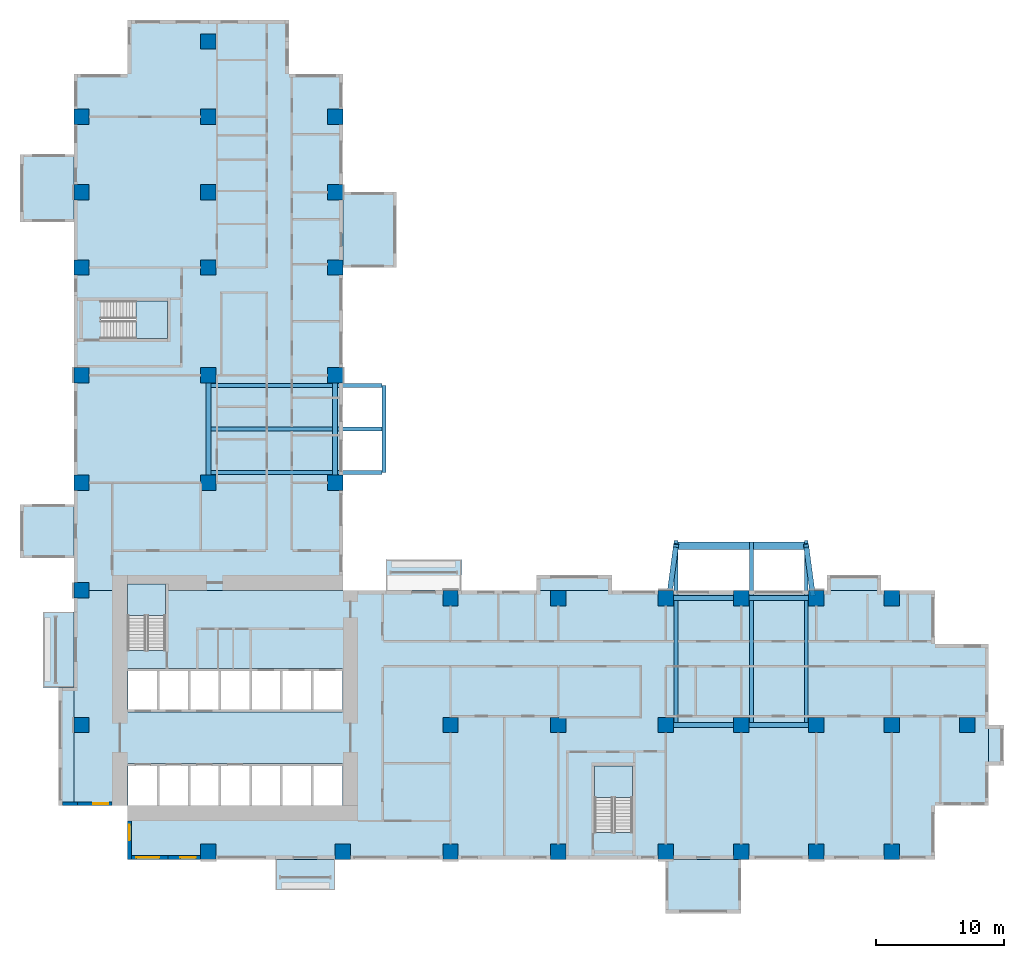
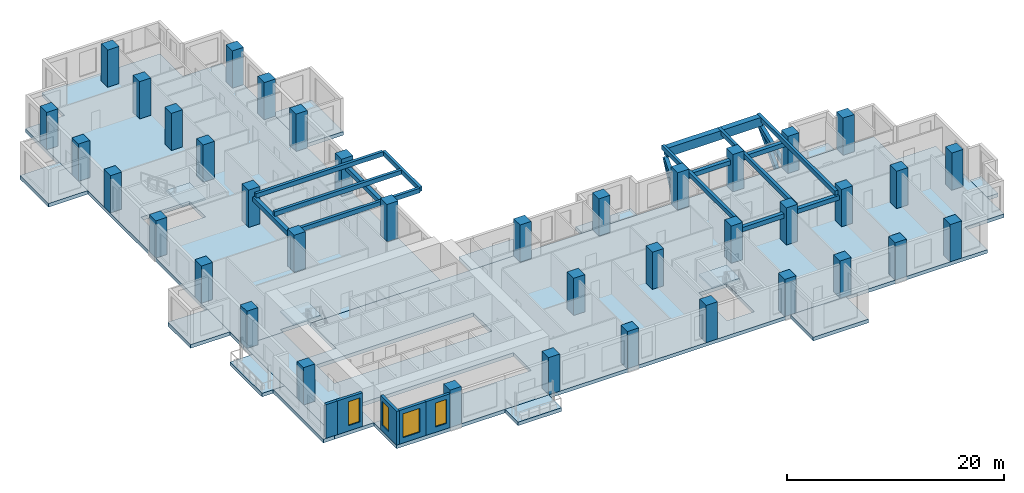
# One storey, part 1 of 14: 39 columns, 16 slabs, 14 beams, 5 walls, 4 members, 4 windows, 4 openings, 3 elements without a shape of their own.
"""IFC4 building model written with IfcOpenShell, lengths in metres."""

import ifcopenshell
import ifcopenshell.guid

model = None  # the IFC model being written
_history = None  # IfcOwnerHistory: only IFC2X3 demands one
_inside = {}  # id of a spatial element -> (the spatial element, [elements in it])
_under = {}  # id of a project, library or spatial element -> (it, [spatial elements below it])
_declared = {}  # id of a project -> (the project, [libraries it declares])
_typed = {}  # id of a type object -> (the type object, [elements of that type])
_made_of = {}  # id of a material, layer set ... -> (it, [elements and type objects made of it])


def new_model(schema):
    """Start an empty IFC model of exactly this schema.

    Asked for "IFC4X3", IfcOpenShell would pick the latest addendum, in which some entities
    have other attributes; the version numbers below select the first issue.
    IFC2X3 requires an IfcOwnerHistory on every rooted entity: one is made here for all.
    """
    global model, _history
    if schema == "IFC4X3":
        model = ifcopenshell.file(schema_version=(4, 3, 0, 0))
    else:
        model = ifcopenshell.file(schema=schema)
    _inside.clear()
    _under.clear()
    _declared.clear()
    _typed.clear()
    _made_of.clear()
    _history = None
    if model.schema == "IFC2X3":
        org = make("IfcOrganization", Name="unknown")
        user = make(
            "IfcPersonAndOrganization",
            ThePerson=make("IfcPerson", FamilyName="unknown"),
            TheOrganization=org,
        )
        app = make(
            "IfcApplication",
            ApplicationDeveloper=org,
            Version="unknown",
            ApplicationFullName="unknown",
            ApplicationIdentifier="unknown",
        )
        _history = make(
            "IfcOwnerHistory",
            OwningUser=user,
            OwningApplication=app,
            ChangeAction="ADDED",
            CreationDate=0,
        )
    return model


def make(cls, **values):
    """One entity of the class cls with the attributes given. An attribute that is None is left unset."""
    return model.create_entity(
        cls, **{name: value for name, value in values.items() if value is not None}
    )


def rooted(cls, **values):
    """An entity with a GlobalId (a new one), such as an element, a storey or a relation."""
    return make(cls, GlobalId=ifcopenshell.guid.new(), OwnerHistory=_history, **values)


def si_unit(unit_type, name, prefix=None):
    """IfcSIUnit, for example si_unit("LENGTHUNIT", "METRE", prefix="MILLI")."""
    return make("IfcSIUnit", UnitType=unit_type, Prefix=prefix, Name=name)


def assignment(units):
    """IfcUnitAssignment: the units of a project."""
    return None if units is None else make("IfcUnitAssignment", Units=units)


def point(xyz):
    """IfcCartesianPoint."""
    return None if xyz is None else make("IfcCartesianPoint", Coordinates=xyz)


def direction(xyz):
    """IfcDirection."""
    return None if xyz is None else make("IfcDirection", DirectionRatios=xyz)


def frame(location, z_axis=None, x_axis=None):
    """IfcAxis2Placement3D, a coordinate frame: its origin and axes. An axis left out is left unset."""
    return make(
        "IfcAxis2Placement3D",
        Location=point(location),
        Axis=direction(z_axis),
        RefDirection=direction(x_axis),
    )


def frame_2d(location, x_axis=None):
    """IfcAxis2Placement2D, a coordinate frame in the plane: its origin and x axis."""
    return make(
        "IfcAxis2Placement2D", Location=point(location), RefDirection=direction(x_axis)
    )


def origin():
    """The frame at (0, 0, 0) with its axes left unset."""
    return frame((0.0, 0.0, 0.0))


def origin_2d():
    """The frame at (0, 0) in the plane with its x axis left unset."""
    return frame_2d((0.0, 0.0))


def place(relative_to, where):
    """IfcLocalPlacement: puts the frame where relative to a parent placement (None: the world)."""
    return make(
        "IfcLocalPlacement", PlacementRelTo=relative_to, RelativePlacement=where
    )


def context(
    kind, dimensions, precision=None, world=None, true_north=None, identifier=None
):
    """IfcGeometricRepresentationContext, for example the 3D "Model" context."""
    return make(
        "IfcGeometricRepresentationContext",
        ContextIdentifier=identifier,
        ContextType=kind,
        CoordinateSpaceDimension=dimensions,
        Precision=precision,
        WorldCoordinateSystem=world,
        TrueNorth=true_north,
    )


def subcontext(parent, identifier, kind, view, scale=None):
    """IfcGeometricRepresentationSubContext, for example "Body" below "Model"."""
    return make(
        "IfcGeometricRepresentationSubContext",
        ContextIdentifier=identifier,
        ContextType=kind,
        ParentContext=parent,
        TargetScale=scale,
        TargetView=view,
    )


def project(units=None, contexts=None):
    """IfcProject with its units and contexts."""
    return rooted(
        "IfcProject",
        Name="project",
        RepresentationContexts=contexts,
        UnitsInContext=assignment(units),
    )


def spatial(cls, under=None, at=None, **own):
    """A site, building, storey or space (cls), placed at a placement, below another one or the project."""
    s = rooted(cls, ObjectPlacement=at, **own)
    if under is not None:
        _under.setdefault(under.id(), (under, []))[1].append(s)
    return s


def polyline(points):
    """IfcPolyline through the points."""
    return make("IfcPolyline", Points=[point(p) for p in points])


def profile(cls, at=None, kind="AREA", **sizes):
    """A parametric profile (cls). Its sizes go by their IFC names, for example OverallWidth=200.0."""
    return make(cls, ProfileType=kind, Position=at, **sizes)


def rectangle(**sizes):
    """IfcRectangleProfileDef."""
    return profile("IfcRectangleProfileDef", **sizes)


def hollow_rectangle(**sizes):
    """IfcRectangleHollowProfileDef."""
    return profile("IfcRectangleHollowProfileDef", **sizes)


def outline(outer, holes=None, kind="AREA"):
    """IfcArbitraryClosedProfileDef: a profile drawn as a closed curve; with holes, ...WithVoids."""
    if holes is None:
        return make("IfcArbitraryClosedProfileDef", ProfileType=kind, OuterCurve=outer)
    return make(
        "IfcArbitraryProfileDefWithVoids",
        ProfileType=kind,
        OuterCurve=outer,
        InnerCurves=holes,
    )


def extrude(swept, where, along, depth):
    """IfcExtrudedAreaSolid: the profile swept, set in the frame where, extruded along a direction by depth."""
    return make(
        "IfcExtrudedAreaSolid",
        SweptArea=swept,
        Position=where,
        ExtrudedDirection=direction(along),
        Depth=depth,
    )


def shape(context_of_items, identifier, shape_type, items):
    """IfcShapeRepresentation: the items that make up one representation, for example the "Body"."""
    return make(
        "IfcShapeRepresentation",
        ContextOfItems=context_of_items,
        RepresentationIdentifier=identifier,
        RepresentationType=shape_type,
        Items=items,
    )


def source(mapping_origin, context_of_items, identifier, shape_type, items):
    """IfcRepresentationMap: a shape defined once, which mapped items show again and again."""
    return make(
        "IfcRepresentationMap",
        MappingOrigin=mapping_origin,
        MappedRepresentation=shape(context_of_items, identifier, shape_type, items),
    )


def transform(
    local_origin,
    x_axis=None,
    y_axis=None,
    z_axis=None,
    scale=None,
    scale2=None,
    scale3=None,
    uniform=True,
):
    """IfcCartesianTransformationOperator3D, or its non-uniform kind. x_axis, y_axis, z_axis: its Axis1, 2, 3."""
    if uniform:
        return make(
            "IfcCartesianTransformationOperator3D",
            Axis1=direction(x_axis),
            Axis2=direction(y_axis),
            LocalOrigin=point(local_origin),
            Scale=scale,
            Axis3=direction(z_axis),
        )
    return make(
        "IfcCartesianTransformationOperator3DnonUniform",
        Axis1=direction(x_axis),
        Axis2=direction(y_axis),
        LocalOrigin=point(local_origin),
        Scale=scale,
        Axis3=direction(z_axis),
        Scale2=scale2,
        Scale3=scale3,
    )


def mapped(mapping_source, mapping_target):
    """IfcMappedItem: shows the shape of a source again, moved by a transform."""
    return make(
        "IfcMappedItem", MappingSource=mapping_source, MappingTarget=mapping_target
    )


def material(Name=None, Category=None):
    """IfcMaterial."""
    return make("IfcMaterial", Name=Name, Category=Category)


def layer(
    of_material, thickness, ventilated=None, Name=None, Category=None, Priority=None
):
    """IfcMaterialLayer: one layer of a wall or slab, of a material (None: an air gap)."""
    return make(
        "IfcMaterialLayer",
        Material=of_material,
        LayerThickness=thickness,
        IsVentilated=ventilated,
        Name=Name,
        Category=Category,
        Priority=Priority,
    )


def layer_set(layers, Name=None):
    """IfcMaterialLayerSet."""
    return make("IfcMaterialLayerSet", MaterialLayers=layers, LayerSetName=Name)


def material_profile(
    of_material, cross_section, Name=None, Category=None, Priority=None
):
    """IfcMaterialProfile: a cross section and its material."""
    return make(
        "IfcMaterialProfile",
        Name=Name,
        Material=of_material,
        Profile=cross_section,
        Priority=Priority,
        Category=Category,
    )


def profile_set(profiles, Name=None, composite=None):
    """IfcMaterialProfileSet."""
    return make(
        "IfcMaterialProfileSet",
        Name=Name,
        MaterialProfiles=profiles,
        CompositeProfile=composite,
    )


def made_of(thing, what):
    """Note that an element or type object is made of a material, layer set ...; save() writes the relation."""
    if what is not None:
        _made_of.setdefault(what.id(), (what, []))[1].append(thing)
    return thing


def type_object(cls, material=None, **own):
    """A type object (cls), such as IfcWallType, which elements share."""
    return made_of(rooted(cls, **own), material)


def element(
    cls,
    number,
    at=None,
    inside=None,
    cuts=None,
    type_object=None,
    material=None,
    context=None,
    identifier="Body",
    shape_type=None,
    held_by="IfcProductDefinitionShape",
    body=None,
    shapes=None,
    **own,
):
    """One element of the class cls, such as IfcWall. Its Tag is "e" and its number.

    at: its placement. inside: the storey or other place that contains it. cuts: it is an
    opening in that element (IfcRelVoidsElement). A single representation is given by context,
    identifier, shape_type and body (its items); several are given by shapes. held_by: the class
    of the entity that holds the representations. save() writes the other relations.
    """
    e = rooted(cls, Tag="e%d" % number, ObjectPlacement=at, **own)
    if body is not None:
        shapes = [shape(context, identifier, shape_type, body)]
    if shapes is not None:
        e.Representation = make(held_by, Representations=shapes)
    if inside is not None:
        _inside.setdefault(inside.id(), (inside, []))[1].append(e)
    if cuts is not None:
        rooted(
            "IfcRelVoidsElement", RelatingBuildingElement=cuts, RelatedOpeningElement=e
        )
    if type_object is not None:
        _typed.setdefault(type_object.id(), (type_object, []))[1].append(e)
    return made_of(e, material)


def fill(opening, filler):
    """IfcRelFillsElement: the door or window that sits in an opening."""
    return rooted(
        "IfcRelFillsElement",
        RelatingOpeningElement=opening,
        RelatedBuildingElement=filler,
    )


def aggregate(whole, parts):
    """IfcRelAggregates: a whole, such as a stair, and the parts it consists of."""
    return rooted("IfcRelAggregates", RelatingObject=whole, RelatedObjects=parts)


def save(model, path):
    """Write the relations noted so far, then the file.

    IfcRelAggregates (storeys below a building ...), IfcRelContainedInSpatialStructure (elements
    in a storey), IfcRelDefinesByType, IfcRelAssociatesMaterial and IfcRelDeclares: one each for
    every whole, place, type object, material and project.
    """
    for whole, parts in _under.values():
        aggregate(whole, parts)
    for where, things in _inside.values():
        rooted(
            "IfcRelContainedInSpatialStructure",
            RelatedElements=things,
            RelatingStructure=where,
        )
    for kind, things in _typed.values():
        rooted("IfcRelDefinesByType", RelatedObjects=things, RelatingType=kind)
    for what, things in _made_of.values():
        rooted("IfcRelAssociatesMaterial", RelatedObjects=things, RelatingMaterial=what)
    for by, libraries in _declared.values():
        rooted("IfcRelDeclares", RelatingContext=by, RelatedDefinitions=libraries)
    model.write(path)


model = new_model("IFC4")

# Units and contexts
model_context = context("Model", 3, precision=1e-05, world=origin(), true_north=direction((0.0, 1.0)))
body_context = subcontext(model_context, "Body", "Model", "MODEL_VIEW")
ifc_project = project(units=[si_unit("LENGTHUNIT", "METRE"), si_unit("AREAUNIT", "SQUARE_METRE"), si_unit("VOLUMEUNIT", "CUBIC_METRE"), si_unit("PLANEANGLEUNIT", "RADIAN"), si_unit("MASSUNIT", "GRAM", prefix="KILO")], contexts=[model_context])

# Site, building, storey
site_placement = place(None, origin())
site = spatial("IfcSite", under=ifc_project, at=site_placement, CompositionType="ELEMENT")
building_placement = place(site_placement, origin())
building = spatial("IfcBuilding", under=site, at=building_placement, Name="Aurelian Terraces", CompositionType="ELEMENT")
storey_placement = place(building_placement, frame((0.0, 0.0, 44.7)))
storey = spatial("IfcBuildingStorey", under=building, at=storey_placement, Name="L08", CompositionType="ELEMENT", Elevation=44.7)

# Columns
ifc_material_1 = material(Name="Concrete fc' 83 MPa", Category="concrete")
ifc_material_profile_1 = material_profile(ifc_material_1, rectangle(XDim=1.2, YDim=1.2, at=origin_2d()))
ifc_profile_set_1 = profile_set([ifc_material_profile_1], Name="Concrete fc' 83 MPa")
column_type = type_object("IfcColumnType", Name="RC COLUMN 1200X1200 FC83", PredefinedType="COLUMN", material=ifc_profile_set_1)
shared_shape_1 = source(origin(), body_context, "Body", "SweptSolid", [
    extrude(rectangle(XDim=1.2, YDim=1.2, at=origin_2d()), origin(), (0.0, 0.0, 1.0), 4.2),
])
for number, where, z_axis, x_axis, name in (
    (1, (10.5, 0.6, 0.0), (0.0, 0.0, 1.0), (1.0, 0.0, 0.0), "Column 2/A L08"),
    (2, (21.0, 0.6, 0.0), (0.0, 0.0, 1.0), (1.0, 0.0, 0.0), "Column 3/A L08"),
    (3, (29.4, 0.6, 0.0), (0.0, 0.0, 1.0), (1.0, 0.0, 0.0), "Column 4/A L08"),
    (4, (37.8, 0.6, 0.0), (0.0, 0.0, 1.0), (1.0, 0.0, 0.0), "Column 5/A L08"),
    (5, (46.2, 0.6, 0.0), (0.0, 0.0, 1.0), (1.0, 0.0, 0.0), "Column 6/A L08"),
    (6, (52.08, 0.6, 0.0), (0.0, 0.0, 1.0), (1.0, 0.0, 0.0), "Column 7/A L08"),
    (7, (57.96, 0.6, 0.0), (0.0, 0.0, 1.0), (1.0, 0.0, 0.0), "Column 8/A L08"),
    (8, (63.84, 0.6, 0.0), (0.0, 0.0, 1.0), (1.0, 0.0, 0.0), "Column 9/A L08"),
    (9, (0.6, 10.5, 0.0), (0.0, 0.0, 1.0), (1.0, 0.0, 0.0), "Column 1/B L08"),
    (10, (29.4, 10.5, 0.0), (0.0, 0.0, 1.0), (1.0, 0.0, 0.0), "Column 4/B L08"),
    (11, (37.8, 10.5, 0.0), (0.0, 0.0, 1.0), (1.0, 0.0, 0.0), "Column 5/B L08"),
    (12, (46.2, 10.5, 0.0), (0.0, 0.0, 1.0), (1.0, 0.0, 0.0), "Column 6/B L08"),
    (13, (52.08, 10.5, 0.0), (0.0, 0.0, 1.0), (1.0, 0.0, 0.0), "Column 7/B L08"),
    (14, (57.96, 10.5, 0.0), (0.0, 0.0, 1.0), (1.0, 0.0, 0.0), "Column 8/B L08"),
    (15, (63.84, 10.5, 0.0), (0.0, 0.0, 1.0), (1.0, 0.0, 0.0), "Column 9/B L08"),
    (16, (69.72, 10.5, 0.0), (0.0, 0.0, 1.0), (1.0, 0.0, 0.0), "Column 10/B L08"),
    (17, (0.6, 21.0, 0.0), (0.0, 0.0, 1.0), (1.0, 0.0, 0.0), "Column 1/C L08"),
    (18, (29.4, 20.4, 0.0), (0.0, 0.0, 1.0), (1.0, 0.0, 0.0), "Column 4/C L08"),
    (19, (37.8, 20.4, 0.0), (0.0, 0.0, 1.0), (1.0, 0.0, 0.0), "Column 5/C L08"),
    (20, (46.2, 20.4, 0.0), (0.0, 0.0, 1.0), (1.0, 0.0, 0.0), "Column 6/C L08"),
    (21, (52.08, 20.4, 0.0), (0.0, 0.0, 1.0), (1.0, 0.0, 0.0), "Column 7/C L08"),
    (22, (57.96, 20.4, 0.0), (0.0, 0.0, 1.0), (1.0, 0.0, 0.0), "Column 8/C L08"),
    (23, (63.84, 20.4, 0.0), (0.0, 0.0, 1.0), (1.0, 0.0, 0.0), "Column 9/C L08"),
    (24, (0.6, 29.4, 0.0), (0.0, 0.0, 1.0), (1.0, 0.0, 0.0), "Column 1/D L08"),
    (25, (10.5, 29.4, 0.0), (0.0, 0.0, 1.0), (1.0, 0.0, 0.0), "Column 2/D L08"),
    (26, (20.4, 29.4, 0.0), (0.0, 0.0, 1.0), (1.0, 0.0, 0.0), "Column 3/D L08"),
    (27, (0.6, 37.8, 0.0), (0.0, 0.0, 1.0), (1.0, 0.0, 0.0), "Column 1/E L08"),
    (28, (10.5, 37.8, 0.0), (0.0, 0.0, 1.0), (1.0, 0.0, 0.0), "Column 2/E L08"),
    (29, (20.4, 37.8, 0.0), (0.0, 0.0, 1.0), (1.0, 0.0, 0.0), "Column 3/E L08"),
    (30, (0.6, 46.2, 0.0), (0.0, 0.0, 1.0), (1.0, 0.0, 0.0), "Column 1/F L08"),
    (31, (10.5, 46.2, 0.0), (0.0, 0.0, 1.0), (1.0, 0.0, 0.0), "Column 2/F L08"),
    (32, (20.4, 46.2, 0.0), (0.0, 0.0, 1.0), (1.0, 0.0, 0.0), "Column 3/F L08"),
    (33, (0.6, 52.08, 0.0), (0.0, 0.0, 1.0), (1.0, 0.0, 0.0), "Column 1/G L08"),
    (34, (10.5, 52.08, 0.0), (0.0, 0.0, 1.0), (1.0, 0.0, 0.0), "Column 2/G L08"),
    (35, (20.4, 52.08, 0.0), (0.0, 0.0, 1.0), (1.0, 0.0, 0.0), "Column 3/G L08"),
    (36, (0.6, 57.96, 0.0), (0.0, 0.0, 1.0), (1.0, 0.0, 0.0), "Column 1/H L08"),
    (37, (10.5, 57.96, 0.0), (0.0, 0.0, 1.0), (1.0, 0.0, 0.0), "Column 2/H L08"),
    (38, (20.4, 57.96, 0.0), (0.0, 0.0, 1.0), (1.0, 0.0, 0.0), "Column 3/H L08"),
    (39, (10.5, 63.84, 0.0), (0.0, 0.0, 1.0), (1.0, 0.0, 0.0), "Column 2/I L08"),
):
    element("IfcColumn", number, at=place(storey_placement, frame(where, z_axis=z_axis, x_axis=x_axis)), inside=storey, type_object=column_type, Name=name, PredefinedType="COLUMN", context=body_context, shape_type="MappedRepresentation", body=[
        mapped(shared_shape_1, transform((0.0, 0.0, 0.0), scale=1.0)),
    ])

# Members
ifc_material_2 = material(Name="Steel ASTM A500 Gr C", Category="steel")
ifc_material_profile_2 = material_profile(ifc_material_2, hollow_rectangle(XDim=0.4064, YDim=0.4064, WallThickness=0.0177, at=origin_2d()))
ifc_profile_set_2 = profile_set([ifc_material_profile_2], Name="Steel ASTM A500 Gr C")
member_type = type_object("IfcMemberType", Name="BLOCK KNEE BRACE HSS16X16X3/4", PredefinedType="BRACE", material=ifc_profile_set_2)
member_1_placement = place(storey_placement, frame((47.0, 24.48, 2.65), z_axis=(-0.11066687596, -0.825574894662, -0.5533343798), x_axis=(0.991134828309, -0.132859896556, 0.0)))
element("IfcMember", 40, at=member_1_placement, inside=storey, type_object=member_type, Name="Block knee brace K01.1.1", PredefinedType="BRACE", context=body_context, shape_type="SweptSolid", body=[
    extrude(hollow_rectangle(XDim=0.4064, YDim=0.4064, WallThickness=0.0177, at=origin_2d()), origin(), (0.0, 0.0, 1.0), 4.5181),
])
member_2_placement = place(storey_placement, frame((47.0, 24.48, 2.65), z_axis=(-0.075026629801, -0.559698658317, -0.825292927813), x_axis=(0.991134828309, -0.132859896556, 0.0)))
element("IfcMember", 41, at=member_2_placement, inside=storey, type_object=member_type, Name="Block knee brace K01.1.2", PredefinedType="BRACE", context=body_context, shape_type="SweptSolid", body=[
    extrude(hollow_rectangle(XDim=0.4064, YDim=0.4064, WallThickness=0.0177, at=origin_2d()), origin(), (0.0, 0.0, 1.0), 6.6643),
])

# Beams
ifc_material_3 = material(Name="Concrete fc' 55 MPa", Category="concrete")
ifc_material_profile_3 = material_profile(ifc_material_3, rectangle(XDim=0.6, YDim=1.0, at=origin_2d()))
ifc_profile_set_3 = profile_set([ifc_material_profile_3], Name="Concrete fc' 55 MPa")
beam_type_1 = type_object("IfcBeamType", Name="BLOCK TRANSFER GIRDER 600X1000", PredefinedType="BEAM", material=ifc_profile_set_3)
beam_1_placement = place(storey_placement, frame((47.0, 24.48, 3.3), z_axis=(1.0, 0.0, 0.0), x_axis=(0.0, 1.0, 0.0)))
element("IfcBeam", 42, at=beam_1_placement, inside=storey, type_object=beam_type_1, Name="Block transfer girder K01", PredefinedType="BEAM", context=body_context, shape_type="SweptSolid", body=[
    extrude(rectangle(XDim=0.6, YDim=1.0, at=origin_2d()), origin(), (0.0, 0.0, 1.0), 10.16),
])
ifc_material_4 = material(Name="Concrete fc' 40 MPa", Category="concrete")
ifc_material_profile_4 = material_profile(ifc_material_4, rectangle(XDim=0.3, YDim=0.5, at=origin_2d()))
ifc_profile_set_4 = profile_set([ifc_material_profile_4], Name="Concrete fc' 40 MPa")
beam_type_2 = type_object("IfcBeamType", Name="CONCRETE CANTILEVER BEAM 300X500", PredefinedType="BEAM", material=ifc_profile_set_4)
beam_2_placement = place(storey_placement, frame((24.2, 30.2, 3.55), z_axis=(0.0, 1.0, 0.0), x_axis=(-1.0, 0.0, 0.0)))
element("IfcBeam", 43, at=beam_2_placement, inside=storey, type_object=beam_type_2, Name="Box tip beam J05", PredefinedType="BEAM", context=body_context, shape_type="SweptSolid", body=[
    extrude(rectangle(XDim=0.3, YDim=0.5, at=origin_2d()), origin(), (0.0, 0.0, 1.0), 6.8),
])
beam_3_placement = place(storey_placement, frame((47.0, 24.9, 3.55), z_axis=(0.0, -1.0, 0.0), x_axis=(1.0, 0.0, 0.0)))
element("IfcBeam", 44, at=beam_3_placement, inside=storey, type_object=beam_type_2, Name="Box cantilever beam K01.1", PredefinedType="BEAM", context=body_context, shape_type="SweptSolid", body=[
    extrude(rectangle(XDim=0.3, YDim=0.5, at=origin_2d()), origin(), (0.0, 0.0, 1.0), 14.4),
])
beam_4_placement = place(storey_placement, frame((52.88, 24.78, 3.55), z_axis=(0.0, -1.0, 0.0), x_axis=(1.0, 0.0, 0.0)))
element("IfcBeam", 45, at=beam_4_placement, inside=storey, type_object=beam_type_2, Name="Box cantilever beam K01.m1", PredefinedType="BEAM", context=body_context, shape_type="SweptSolid", body=[
    extrude(rectangle(XDim=0.3, YDim=0.5, at=origin_2d()), origin(), (0.0, 0.0, 1.0), 14.28),
])
ifc_material_profile_5 = material_profile(ifc_material_4, rectangle(XDim=0.4, YDim=0.5, at=origin_2d()))
ifc_profile_set_5 = profile_set([ifc_material_profile_5], Name="Concrete fc' 40 MPa")
beam_type_3 = type_object("IfcBeamType", Name="CONCRETE EDGE GIRDER 400X500", PredefinedType="BEAM", material=ifc_profile_set_5)
shared_shape_2 = source(origin(), body_context, "Body", "SweptSolid", [
    extrude(rectangle(XDim=0.4, YDim=0.5, at=origin_2d()), origin(), (0.0, 0.0, 1.0), 4.68),
])
for number, where, z_axis, x_axis, name in (
    (46, (46.8, 20.4, 3.05), (1.0, 0.0, 0.0), (0.0, 1.0, 0.0), "Box girder L08 O187"),
    (47, (52.68, 20.4, 3.05), (1.0, 0.0, 0.0), (0.0, 1.0, 0.0), "Box girder L08 O188"),
    (48, (46.8, 10.5, 3.05), (1.0, 0.0, 0.0), (0.0, 1.0, 0.0), "Box girder L08 I189"),
    (49, (52.68, 10.5, 3.05), (1.0, 0.0, 0.0), (0.0, 1.0, 0.0), "Box girder L08 I190"),
):
    element("IfcBeam", number, at=place(storey_placement, frame(where, z_axis=z_axis, x_axis=x_axis)), inside=storey, type_object=beam_type_3, Name=name, PredefinedType="BEAM", context=body_context, shape_type="MappedRepresentation", body=[
        mapped(shared_shape_2, transform((0.0, 0.0, 0.0), scale=1.0)),
    ])
shared_shape_3 = source(origin(), body_context, "Body", "SweptSolid", [
    extrude(rectangle(XDim=0.3, YDim=0.5, at=origin_2d()), origin(), (0.0, 0.0, 1.0), 13.55),
])
for number, where, z_axis, x_axis, name in (
    (50, (24.05, 30.2, 3.55), (-1.0, 0.0, 0.0), (0.0, -1.0, 0.0), "Box cantilever beam J05.1"),
    (51, (24.05, 37.0, 3.55), (-1.0, 0.0, 0.0), (0.0, -1.0, 0.0), "Box cantilever beam J05.2"),
    (52, (24.05, 33.6, 3.55), (-1.0, 0.0, 0.0), (0.0, -1.0, 0.0), "Box cantilever beam J05.m1"),
):
    element("IfcBeam", number, at=place(storey_placement, frame(where, z_axis=z_axis, x_axis=x_axis)), inside=storey, type_object=beam_type_2, Name=name, PredefinedType="BEAM", context=body_context, shape_type="MappedRepresentation", body=[
        mapped(shared_shape_3, transform((0.0, 0.0, 0.0), scale=1.0)),
    ])
shared_shape_4 = source(origin(), body_context, "Body", "SweptSolid", [
    extrude(rectangle(XDim=0.4, YDim=0.5, at=origin_2d()), origin(), (0.0, 0.0, 1.0), 7.2),
])
for number, where, z_axis, x_axis, name in (
    (53, (20.4, 30.0, 3.05), (0.0, 1.0, 0.0), (-1.0, 0.0, 0.0), "Box girder L08 O10"),
    (54, (10.5, 30.0, 3.05), (0.0, 1.0, 0.0), (-1.0, 0.0, 0.0), "Box girder L08 I11"),
):
    element("IfcBeam", number, at=place(storey_placement, frame(where, z_axis=z_axis, x_axis=x_axis)), inside=storey, type_object=beam_type_3, Name=name, PredefinedType="BEAM", context=body_context, shape_type="MappedRepresentation", body=[
        mapped(shared_shape_4, transform((0.0, 0.0, 0.0), scale=1.0)),
    ])
shared_shape_5 = source(origin(), body_context, "Body", "SweptSolid", [
    extrude(rectangle(XDim=0.3, YDim=0.5, at=origin_2d()), origin(), (0.0, 0.0, 1.0), 14.4),
])
beam_5_placement = place(storey_placement, frame((57.16, 24.9, 3.55), z_axis=(0.0, -1.0, 0.0), x_axis=(1.0, 0.0, 0.0)))
element("IfcBeam", 55, at=beam_5_placement, inside=storey, type_object=beam_type_2, Name="Box cantilever beam K01.2", PredefinedType="BEAM", context=body_context, shape_type="MappedRepresentation", body=[
    mapped(shared_shape_5, transform((0.0, 0.0, 0.0), scale=1.0)),
])

# Members
shared_shape_6 = source(origin(), body_context, "Body", "SweptSolid", [
    extrude(hollow_rectangle(XDim=0.4064, YDim=0.4064, WallThickness=0.0177, at=origin_2d()), origin(), (0.0, 0.0, 1.0), 4.5181),
])
member_3_placement = place(storey_placement, frame((57.16, 24.48, 2.65), z_axis=(0.11066687596, -0.825574894662, -0.5533343798), x_axis=(0.991134828309, 0.132859896556, 0.0)))
element("IfcMember", 56, at=member_3_placement, inside=storey, type_object=member_type, Name="Block knee brace K01.2.1", PredefinedType="BRACE", context=body_context, shape_type="MappedRepresentation", body=[
    mapped(shared_shape_6, transform((0.0, 0.0, 0.0), scale=1.0)),
])
shared_shape_7 = source(origin(), body_context, "Body", "SweptSolid", [
    extrude(hollow_rectangle(XDim=0.4064, YDim=0.4064, WallThickness=0.0177, at=origin_2d()), origin(), (0.0, 0.0, 1.0), 6.6643),
])
member_4_placement = place(storey_placement, frame((57.16, 24.48, 2.65), z_axis=(0.075026629801, -0.559698658317, -0.825292927813), x_axis=(0.991134828309, 0.132859896556, 0.0)))
element("IfcMember", 57, at=member_4_placement, inside=storey, type_object=member_type, Name="Block knee brace K01.2.2", PredefinedType="BRACE", context=body_context, shape_type="MappedRepresentation", body=[
    mapped(shared_shape_7, transform((0.0, 0.0, 0.0), scale=1.0)),
])

# Slabs
ifc_layer_1 = layer(ifc_material_4, 0.4)
ifc_layer_set_1 = layer_set([ifc_layer_1], Name="Balcony slab 400")
slab_type_1 = type_object("IfcSlabType", Name="Balcony slab 400", PredefinedType="NOTDEFINED", material=ifc_layer_set_1)
slab_1_placement = place(storey_placement, frame((0.0, 0.0, -0.4)))
element("IfcSlab", 58, at=slab_1_placement, inside=storey, type_object=slab_type_1, Name="Balcony slab L08 F01.4", PredefinedType="NOTDEFINED", context=body_context, shape_type="SweptSolid", body=[
    extrude(outline(polyline([(15.75, 0.0), (20.4, 0.0), (20.4, -2.4), (15.75, -2.4), (15.75, 0.0)])), origin(), (0.0, 0.0, 1.0), 0.4),
])
slab_2_placement = place(storey_placement, frame((0.0, 0.0, -0.4)))
element("IfcSlab", 59, at=slab_2_placement, inside=storey, type_object=slab_type_1, Name="Balcony slab L08 F07.26", PredefinedType="NOTDEFINED", context=body_context, shape_type="SweptSolid", body=[
    extrude(outline(polyline([(30.24, 21.0), (24.36, 21.0), (24.36, 23.4), (30.24, 23.4), (30.24, 21.0)])), origin(), (0.0, 0.0, 1.0), 0.4),
])
ifc_layer_2 = layer(ifc_material_4, 0.4)
ifc_layer_set_2 = layer_set([ifc_layer_2], Name="Bay floor 400")
slab_type_2 = type_object("IfcSlabType", Name="Bay floor 400", PredefinedType="NOTDEFINED", material=ifc_layer_set_2)
slab_3_placement = place(storey_placement, frame((0.0, 0.0, -0.4)))
element("IfcSlab", 60, at=slab_3_placement, inside=storey, type_object=slab_type_2, Name="Bay floor L08 F04.16", PredefinedType="NOTDEFINED", context=body_context, shape_type="SweptSolid", body=[
    extrude(outline(polyline([(71.4, 7.35), (71.4, 10.5), (72.6, 10.5), (72.6, 7.35), (71.4, 7.35)])), origin(), (0.0, 0.0, 1.0), 0.4),
])
slab_4_placement = place(storey_placement, frame((0.0, 0.0, -0.4)))
element("IfcSlab", 61, at=slab_4_placement, inside=storey, type_object=slab_type_2, Name="Bay floor L08 F14.44", PredefinedType="NOTDEFINED", context=body_context, shape_type="SweptSolid", body=[
    extrude(outline(polyline([(0.0, 13.44), (0.0, 4.2), (-1.2, 4.2), (-1.2, 13.44), (0.0, 13.44)])), origin(), (0.0, 0.0, 1.0), 0.4),
])
ifc_layer_3 = layer(ifc_material_4, 0.41)
ifc_layer_set_3 = layer_set([ifc_layer_3], Name="Box floor 410")
slab_type_3 = type_object("IfcSlabType", Name="Box floor 410", PredefinedType="NOTDEFINED", material=ifc_layer_set_3)
slab_5_placement = place(storey_placement, frame((0.0, 0.0, -0.41)))
element("IfcSlab", 62, at=slab_5_placement, inside=storey, type_object=slab_type_3, Name="Box floor L08 J01", PredefinedType="NOTDEFINED", context=body_context, shape_type="SweptSolid", body=[
    extrude(outline(polyline([(46.2, -4.2), (52.08, -4.2), (52.08, 0.0), (46.2, 0.0), (46.2, -4.2)])), origin(), (0.0, 0.0, 1.0), 0.41),
])
slab_6_placement = place(storey_placement, frame((0.0, 0.0, -0.41)))
element("IfcSlab", 63, at=slab_6_placement, inside=storey, type_object=slab_type_3, Name="Box floor L08 J02", PredefinedType="NOTDEFINED", context=body_context, shape_type="SweptSolid", body=[
    extrude(outline(polyline([(25.2, 46.2), (25.2, 52.08), (21.0, 52.08), (21.0, 46.2), (25.2, 46.2)])), origin(), (0.0, 0.0, 1.0), 0.41),
])
slab_7_placement = place(storey_placement, frame((0.0, 0.0, -0.41)))
element("IfcSlab", 64, at=slab_7_placement, inside=storey, type_object=slab_type_3, Name="Box floor L08 J03", PredefinedType="NOTDEFINED", context=body_context, shape_type="SweptSolid", body=[
    extrude(outline(polyline([(-4.2, 27.72), (-4.2, 23.52), (0.0, 23.52), (0.0, 27.72), (-4.2, 27.72)])), origin(), (0.0, 0.0, 1.0), 0.41),
])
slab_8_placement = place(storey_placement, frame((0.0, 0.0, -0.41)))
element("IfcSlab", 65, at=slab_8_placement, inside=storey, type_object=slab_type_3, Name="Box floor L08 J04", PredefinedType="NOTDEFINED", context=body_context, shape_type="SweptSolid", body=[
    extrude(outline(polyline([(-4.2, 55.02), (-4.2, 49.77), (0.0, 49.77), (0.0, 55.02), (-4.2, 55.02)])), origin(), (0.0, 0.0, 1.0), 0.41),
])
ifc_layer_4 = layer(ifc_material_4, 0.4)
ifc_layer_set_4 = layer_set([ifc_layer_4], Name="PT FLAT PLATE 400")
slab_type_4 = type_object("IfcSlabType", Name="PT FLAT PLATE 400", PredefinedType="FLOOR", material=ifc_layer_set_4)
shared_shape_8 = source(origin(), body_context, "Body", "SweptSolid", [
    extrude(outline(polyline([(67.2, 16.8), (71.4, 16.8), (71.4, 4.2), (67.2, 4.2), (67.2, 0.0), (21.0, 0.0), (4.2, 0.0), (4.2, 4.2), (0.0, 4.2), (0.0, 21.0), (4.21, 21.0), (4.21, 16.31), (7.14, 16.31), (7.14, 21.0), (21.0, 21.0), (67.2, 21.0), (67.2, 16.8)]), holes=[polyline([(40.66, 2.11), (43.59, 2.11), (43.59, 7.29), (40.66, 7.29), (40.66, 2.11)]), polyline([(4.21, 7.49), (4.21, 4.21), (20.99, 4.21), (20.99, 7.49), (4.21, 7.49)]), polyline([(4.21, 14.89), (4.21, 11.51), (20.99, 11.51), (20.99, 14.89), (4.21, 14.89)])]), origin(), (0.0, 0.0, 1.0), 0.4),
])
slab_9_placement = place(storey_placement, frame((0.0, 0.0, -0.4)))
element("IfcSlab", 66, at=slab_9_placement, inside=storey, type_object=slab_type_4, Name="Floor slab S L08", PredefinedType="FLOOR", context=body_context, shape_type="MappedRepresentation", body=[
    mapped(shared_shape_8, transform((0.0, 0.0, 0.0), scale=1.0)),
])
shared_shape_9 = source(origin(), body_context, "Body", "SweptSolid", [
    extrude(outline(polyline([(7.14, 21.0), (7.14, 21.49), (4.21, 21.49), (4.21, 21.0), (0.0, 21.0), (0.0, 61.32), (4.2, 61.32), (4.2, 65.52), (16.8, 65.52), (16.8, 61.32), (21.0, 61.32), (21.0, 21.0), (7.14, 21.0)]), holes=[polyline([(7.29, 43.59), (2.11, 43.59), (2.11, 40.66), (7.29, 40.66), (7.29, 43.59)])]), origin(), (0.0, 0.0, 1.0), 0.4),
])
slab_10_placement = place(storey_placement, frame((0.0, 0.0, -0.4)))
element("IfcSlab", 67, at=slab_10_placement, inside=storey, type_object=slab_type_4, Name="Floor slab W L08", PredefinedType="FLOOR", context=body_context, shape_type="MappedRepresentation", body=[
    mapped(shared_shape_9, transform((0.0, 0.0, 0.0), scale=1.0)),
])
shared_shape_10 = source(origin(), body_context, "Body", "SweptSolid", [
    extrude(outline(polyline([(63.0, 21.0), (58.8, 21.0), (58.8, 22.2), (63.0, 22.2), (63.0, 21.0)])), origin(), (0.0, 0.0, 1.0), 0.4),
])
slab_11_placement = place(storey_placement, frame((0.0, 0.0, -0.4)))
element("IfcSlab", 68, at=slab_11_placement, inside=storey, type_object=slab_type_2, Name="Bay floor L08 F07.21", PredefinedType="NOTDEFINED", context=body_context, shape_type="MappedRepresentation", body=[
    mapped(shared_shape_10, transform((0.0, 0.0, 0.0), scale=1.0)),
])
shared_shape_11 = source(origin(), body_context, "Body", "SweptSolid", [
    extrude(outline(polyline([(42.0, 21.0), (36.12, 21.0), (36.12, 22.2), (42.0, 22.2), (42.0, 21.0)])), origin(), (0.0, 0.0, 1.0), 0.4),
])
slab_12_placement = place(storey_placement, frame((0.0, 0.0, -0.4)))
element("IfcSlab", 69, at=slab_12_placement, inside=storey, type_object=slab_type_2, Name="Bay floor L08 F07.24", PredefinedType="NOTDEFINED", context=body_context, shape_type="MappedRepresentation", body=[
    mapped(shared_shape_11, transform((0.0, 0.0, 0.0), scale=1.0)),
])
shared_shape_12 = source(origin(), body_context, "Body", "SweptSolid", [
    extrude(outline(polyline([(0.0, 19.32), (0.0, 13.44), (-2.4, 13.44), (-2.4, 19.32), (0.0, 19.32)])), origin(), (0.0, 0.0, 1.0), 0.4),
])
slab_13_placement = place(storey_placement, frame((0.0, 0.0, -0.4)))
element("IfcSlab", 70, at=slab_13_placement, inside=storey, type_object=slab_type_1, Name="Balcony slab L08 F14.43", PredefinedType="NOTDEFINED", context=body_context, shape_type="MappedRepresentation", body=[
    mapped(shared_shape_12, transform((0.0, 0.0, 0.0), scale=1.0)),
])

# Stair, slab
stair_type = type_object("IfcStairType", Name="Stair 1400", PredefinedType="HALF_TURN_STAIR", material=ifc_material_4)
stair_1_placement = place(storey_placement, origin())
stair_1 = element("IfcStair", 71, at=stair_1_placement, inside=storey, type_object=stair_type, Name="L08 S1", PredefinedType="HALF_TURN_STAIR")
ifc_layer_5 = layer(ifc_material_4, 0.2)
ifc_layer_set_5 = layer_set([ifc_layer_5], Name="Stair landing 200")
slab_type_5 = type_object("IfcSlabType", Name="Stair landing 200", PredefinedType="LANDING", material=ifc_layer_set_5)
shared_shape_13 = source(origin(), body_context, "Body", "SweptSolid", [
    extrude(outline(polyline([(7.15, 19.05), (7.15, 21.5), (4.2, 21.5), (4.2, 19.05), (7.15, 19.05)])), origin(), (0.0, 0.0, 1.0), 0.2),
])
slab_14_placement = place(storey_placement, frame((0.0, 0.0, 1.9)))
slab_14 = element("IfcSlab", 72, at=slab_14_placement, type_object=slab_type_5, Name="S1 landing 1", PredefinedType="LANDING", context=body_context, shape_type="MappedRepresentation", body=[
    mapped(shared_shape_13, transform((0.0, 0.0, 0.0), scale=1.0)),
])
aggregate(stair_1, [slab_14])

stair_2_placement = place(storey_placement, origin())
stair_2 = element("IfcStair", 73, at=stair_2_placement, inside=storey, type_object=stair_type, Name="L08 S2", PredefinedType="HALF_TURN_STAIR")
shared_shape_14 = source(origin(), body_context, "Body", "SweptSolid", [
    extrude(outline(polyline([(43.6, 4.85), (43.6, 7.3), (40.65, 7.3), (40.65, 4.85), (43.6, 4.85)])), origin(), (0.0, 0.0, 1.0), 0.2),
])
slab_15_placement = place(storey_placement, frame((0.0, 0.0, 1.9)))
slab_15 = element("IfcSlab", 74, at=slab_15_placement, type_object=slab_type_5, Name="S2 landing 1", PredefinedType="LANDING", context=body_context, shape_type="MappedRepresentation", body=[
    mapped(shared_shape_14, transform((0.0, 0.0, 0.0), scale=1.0)),
])
aggregate(stair_2, [slab_15])

stair_3_placement = place(storey_placement, origin())
stair_3 = element("IfcStair", 75, at=stair_3_placement, inside=storey, type_object=stair_type, Name="L08 S3", PredefinedType="HALF_TURN_STAIR")
shared_shape_15 = source(origin(), body_context, "Body", "SweptSolid", [
    extrude(outline(polyline([(4.85, 40.65), (7.3, 40.65), (7.3, 43.6), (4.85, 43.6), (4.85, 40.65)])), origin(), (0.0, 0.0, 1.0), 0.2),
])
slab_16_placement = place(storey_placement, frame((0.0, 0.0, 1.9)))
slab_16 = element("IfcSlab", 76, at=slab_16_placement, type_object=slab_type_5, Name="S3 landing 1", PredefinedType="LANDING", context=body_context, shape_type="MappedRepresentation", body=[
    mapped(shared_shape_15, transform((0.0, 0.0, 0.0), scale=1.0)),
])
aggregate(stair_3, [slab_16])

# Wall, opening, window
ifc_material_5 = material(Name="Terracotta rainscreen cladding", Category="masonry")
ifc_layer_6 = layer(ifc_material_5, 0.3)
ifc_layer_set_6 = layer_set([ifc_layer_6], Name="EW-300")
wall_type = type_object("IfcWallType", Name="EW-300", PredefinedType="STANDARD", material=ifc_layer_set_6)
shared_shape_16 = source(origin(), body_context, "Body", "SweptSolid", [
    extrude(rectangle(XDim=3.15, YDim=0.3, at=frame_2d((1.575, 0.0))), origin(), (0.0, 0.0, 1.0), 3.8),
])
wall_1_placement = place(storey_placement, frame((4.2, 0.15, 0.0), z_axis=(0.0, 0.0, 1.0), x_axis=(1.0, 0.0, 0.0)))
wall_1 = element("IfcWall", 77, at=wall_1_placement, inside=storey, type_object=wall_type, Name="External wall L08 F01.1", PredefinedType="STANDARD", context=body_context, shape_type="MappedRepresentation", body=[
    mapped(shared_shape_16, transform((0.0, 0.0, 0.0), scale=1.0)),
])
shared_shape_17 = source(origin(), body_context, "Body", "SweptSolid", [
    extrude(rectangle(XDim=1.8, YDim=2.7, at=frame_2d((0.9, 1.35))), frame((0.0, 0.16, 0.0), z_axis=(0.0, -1.0, 0.0), x_axis=(1.0, 0.0, 0.0)), (0.0, 0.0, 1.0), 0.32),
])
opening_1_placement = place(wall_1_placement, frame((0.675, 0.0, 0.6)))
opening_1 = element("IfcOpeningElement", 78, at=opening_1_placement, cuts=wall_1, Name="Opening W1827", PredefinedType="OPENING", context=body_context, shape_type="MappedRepresentation", body=[
    mapped(shared_shape_17, transform((0.0, 0.0, 0.0), scale=1.0)),
])
ifc_material_6 = material(Name="Clear glazing", Category="glass")
window_type_1 = type_object("IfcWindowType", Name="W-1800x2700", PartitioningType="SINGLE_PANEL", PredefinedType="WINDOW", material=ifc_material_6)
shared_shape_18 = source(origin(), body_context, "Body", "SweptSolid", [
    extrude(rectangle(XDim=1.8, YDim=2.7, at=frame_2d((0.9, 1.35))), frame((0.0, 0.03, 0.0), z_axis=(0.0, -1.0, 0.0), x_axis=(1.0, 0.0, 0.0)), (0.0, 0.0, 1.0), 0.06),
])
window_1_placement = place(opening_1_placement, origin())
window_1 = element("IfcWindow", 79, at=window_1_placement, inside=storey, type_object=window_type_1, Name="Window L08 L08-F01-01-0", OverallHeight=2.7, OverallWidth=1.8, PartitioningType="SINGLE_PANEL", PredefinedType="WINDOW", context=body_context, shape_type="MappedRepresentation", body=[
    mapped(shared_shape_18, transform((0.0, 0.0, 0.0), scale=1.0)),
])
fill(opening_1, window_1)

# Wall
shared_shape_19 = source(origin(), body_context, "Body", "SweptSolid", [
    extrude(rectangle(XDim=1.2, YDim=0.3, at=frame_2d((0.6, 0.0))), origin(), (0.0, 0.0, 1.0), 3.8),
])
wall_2_placement = place(storey_placement, frame((0.3, 4.35, 0.0), z_axis=(0.0, 0.0, 1.0), x_axis=(-1.0, 0.0, 0.0)))
element("IfcWall", 80, at=wall_2_placement, inside=storey, type_object=wall_type, Name="Bay return L08 F14.44.2", PredefinedType="STANDARD", context=body_context, shape_type="MappedRepresentation", body=[
    mapped(shared_shape_19, transform((0.0, 0.0, 0.0), scale=1.0)),
])

# Wall, opening, window
shared_shape_20 = source(origin(), body_context, "Body", "SweptSolid", [
    extrude(rectangle(XDim=3.0, YDim=0.3, at=frame_2d((1.5, 0.0))), origin(), (0.0, 0.0, 1.0), 3.8),
])
wall_3_placement = place(storey_placement, frame((0.0, 4.35, 0.0), z_axis=(0.0, 0.0, 1.0), x_axis=(1.0, 0.0, 0.0)))
wall_3 = element("IfcWall", 81, at=wall_3_placement, inside=storey, type_object=wall_type, Name="External wall L08 F15.45", PredefinedType="STANDARD", context=body_context, shape_type="MappedRepresentation", body=[
    mapped(shared_shape_20, transform((0.0, 0.0, 0.0), scale=1.0)),
])
shared_shape_21 = source(origin(), body_context, "Body", "SweptSolid", [
    extrude(rectangle(XDim=1.2, YDim=2.7, at=frame_2d((0.6, 1.35))), frame((0.0, 0.16, 0.0), z_axis=(0.0, -1.0, 0.0), x_axis=(1.0, 0.0, 0.0)), (0.0, 0.0, 1.0), 0.32),
])
opening_2_placement = place(wall_3_placement, frame((1.5, 0.0, 0.6)))
opening_2 = element("IfcOpeningElement", 82, at=opening_2_placement, cuts=wall_3, Name="Opening W1227", PredefinedType="OPENING", context=body_context, shape_type="MappedRepresentation", body=[
    mapped(shared_shape_21, transform((0.0, 0.0, 0.0), scale=1.0)),
])
window_type_2 = type_object("IfcWindowType", Name="W-1200x2700", PartitioningType="SINGLE_PANEL", PredefinedType="WINDOW", material=ifc_material_6)
shared_shape_22 = source(origin(), body_context, "Body", "SweptSolid", [
    extrude(rectangle(XDim=1.2, YDim=2.7, at=frame_2d((0.6, 1.35))), frame((0.0, 0.03, 0.0), z_axis=(0.0, -1.0, 0.0), x_axis=(1.0, 0.0, 0.0)), (0.0, 0.0, 1.0), 0.06),
])
window_2_placement = place(opening_2_placement, origin())
window_2 = element("IfcWindow", 83, at=window_2_placement, inside=storey, type_object=window_type_2, Name="Window L08 L08-F15-45-0", OverallHeight=2.7, OverallWidth=1.2, PartitioningType="SINGLE_PANEL", PredefinedType="WINDOW", context=body_context, shape_type="MappedRepresentation", body=[
    mapped(shared_shape_22, transform((0.0, 0.0, 0.0), scale=1.0)),
])
fill(opening_2, window_2)

wall_4_placement = place(storey_placement, frame((4.35, 3.0, 0.0), z_axis=(0.0, 0.0, 1.0), x_axis=(0.0, -1.0, 0.0)))
wall_4 = element("IfcWall", 84, at=wall_4_placement, inside=storey, type_object=wall_type, Name="External wall L08 F16.46", PredefinedType="STANDARD", context=body_context, shape_type="MappedRepresentation", body=[
    mapped(shared_shape_20, transform((0.0, 0.0, 0.0), scale=1.0)),
])
opening_3_placement = place(wall_4_placement, frame((0.3, 0.0, 0.6)))
opening_3 = element("IfcOpeningElement", 85, at=opening_3_placement, cuts=wall_4, Name="Opening W1227", PredefinedType="OPENING", context=body_context, shape_type="MappedRepresentation", body=[
    mapped(shared_shape_21, transform((0.0, 0.0, 0.0), scale=1.0)),
])
window_3_placement = place(opening_3_placement, origin())
window_3 = element("IfcWindow", 86, at=window_3_placement, inside=storey, type_object=window_type_2, Name="Window L08 L08-F16-46-0", OverallHeight=2.7, OverallWidth=1.2, PartitioningType="SINGLE_PANEL", PredefinedType="WINDOW", context=body_context, shape_type="MappedRepresentation", body=[
    mapped(shared_shape_22, transform((0.0, 0.0, 0.0), scale=1.0)),
])
fill(opening_3, window_3)

shared_shape_23 = source(origin(), body_context, "Body", "SweptSolid", [
    extrude(rectangle(XDim=2.55, YDim=0.3, at=frame_2d((1.275, 0.0))), origin(), (0.0, 0.0, 1.0), 3.8),
])
wall_5_placement = place(storey_placement, frame((7.35, 0.15, 0.0), z_axis=(0.0, 0.0, 1.0), x_axis=(1.0, 0.0, 0.0)))
wall_5 = element("IfcWall", 87, at=wall_5_placement, inside=storey, type_object=wall_type, Name="External wall L08 F01.2", PredefinedType="STANDARD", context=body_context, shape_type="MappedRepresentation", body=[
    mapped(shared_shape_23, transform((0.0, 0.0, 0.0), scale=1.0)),
])
opening_4_placement = place(wall_5_placement, frame((0.975, 0.0, 0.6)))
opening_4 = element("IfcOpeningElement", 88, at=opening_4_placement, cuts=wall_5, Name="Opening W1227", PredefinedType="OPENING", context=body_context, shape_type="MappedRepresentation", body=[
    mapped(shared_shape_21, transform((0.0, 0.0, 0.0), scale=1.0)),
])
window_4_placement = place(opening_4_placement, origin())
window_4 = element("IfcWindow", 89, at=window_4_placement, inside=storey, type_object=window_type_2, Name="Window L08 L08-F01-02-0", OverallHeight=2.7, OverallWidth=1.2, PartitioningType="SINGLE_PANEL", PredefinedType="WINDOW", context=body_context, shape_type="MappedRepresentation", body=[
    mapped(shared_shape_22, transform((0.0, 0.0, 0.0), scale=1.0)),
])
fill(opening_4, window_4)

save(model, "model.ifc")
